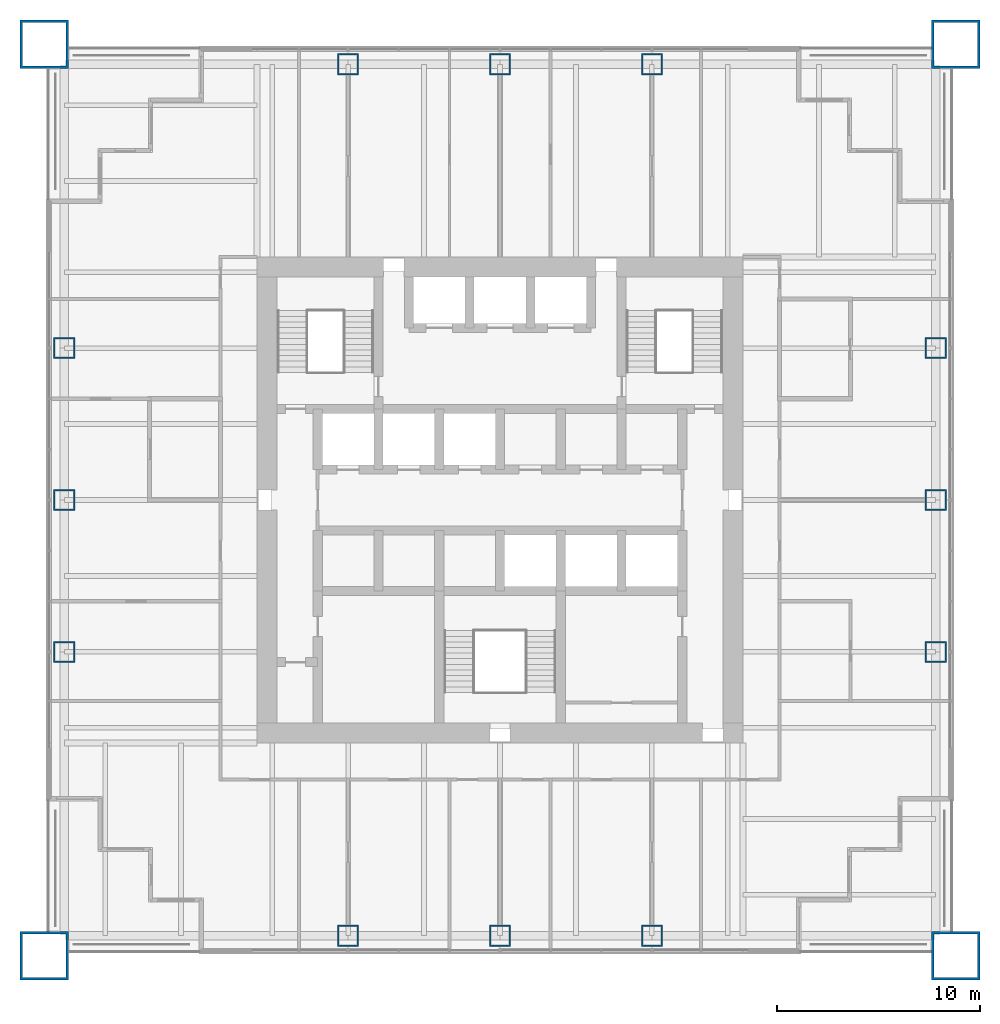
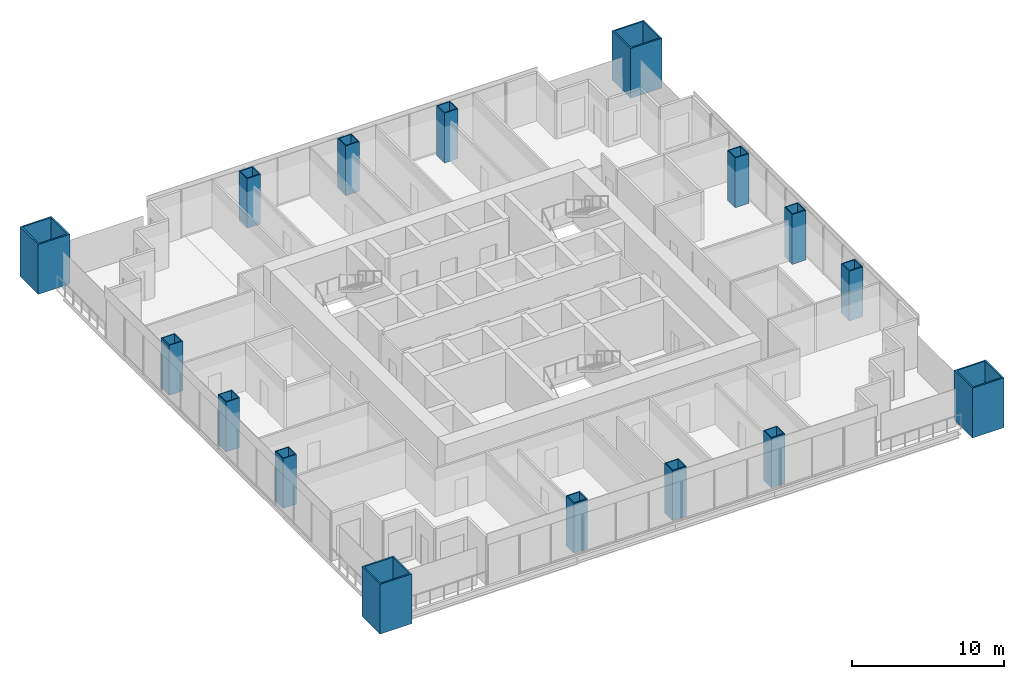
# One storey, part 1 of 13: 16 columns.
"""IFC4 building model written with IfcOpenShell, lengths in metres."""

from ifc_helpers import new_model, si_unit, direction, frame, origin, origin_2d, place, context, subcontext, project, spatial, hollow_rectangle, extrude, material, material_profile, profile_set, type_object, element, save


model = new_model("IFC4")

# Units and contexts
model_context = context("Model", 3, precision=1e-05, world=origin(), true_north=direction((0.0, 1.0)))
body_context = subcontext(model_context, "Body", "Model", "MODEL_VIEW")
ifc_project = project(units=[si_unit("LENGTHUNIT", "METRE"), si_unit("AREAUNIT", "SQUARE_METRE"), si_unit("VOLUMEUNIT", "CUBIC_METRE"), si_unit("PLANEANGLEUNIT", "RADIAN"), si_unit("MASSUNIT", "GRAM", prefix="KILO")], contexts=[model_context])

# Site, building, storey
site_placement = place(None, origin())
site = spatial("IfcSite", under=ifc_project, at=site_placement, CompositionType="ELEMENT")
building_placement = place(site_placement, origin())
building = spatial("IfcBuilding", under=site, at=building_placement, Name="Tarangal Relay Tower", CompositionType="ELEMENT")
storey_placement = place(building_placement, frame((0.0, 0.0, 181.89990234375)))
storey = spatial("IfcBuildingStorey", under=building, at=storey_placement, Name="L37", CompositionType="ELEMENT", Elevation=181.89990234375)

# Columns
ifc_material_1 = material(Name="Steel ASTM A572 Grade 42", Category="steel")
ifc_material_profile_1 = material_profile(ifc_material_1, hollow_rectangle(XDim=2.39990234375, YDim=2.39990234375, WallThickness=0.1201171875, at=origin_2d()), Name="BOX2400X2400X120")
ifc_profile_set_1 = profile_set([ifc_material_profile_1], Name="Steel ASTM A572 Grade 42")
column_type_1 = type_object("IfcColumnType", Name="Mega column BOX2400X2400X120", PredefinedType="COLUMN", material=ifc_profile_set_1)
for number, where, z_axis, x_axis, name in (
    (1, (22.5, 22.5, 0.0), (0.0, 0.0, 1.0), (1.0, 0.0, 0.0), "Mega column MC3 NE L37"),
    (2, (22.5, -22.5, 0.0), (0.0, 0.0, 1.0), (1.0, 0.0, 0.0), "Mega column MC3 SE L37"),
    (3, (-22.5, -22.5, 0.0), (0.0, 0.0, 1.0), (1.0, 0.0, 0.0), "Mega column MC3 SW L37"),
    (4, (-22.5, 22.5, 0.0), (0.0, 0.0, 1.0), (1.0, 0.0, 0.0), "Mega column MC3 NW L37"),
):
    element("IfcColumn", number, at=place(storey_placement, frame(where, z_axis=z_axis, x_axis=x_axis)), inside=storey, type_object=column_type_1, Name=name, PredefinedType="COLUMN", context=body_context, shape_type="SweptSolid", body=[
        extrude(hollow_rectangle(XDim=2.39990234375, YDim=2.39990234375, WallThickness=0.1201171875, at=origin_2d()), origin(), (0.0, 0.0, 1.0), 4.0),
    ])
ifc_material_2 = material(Name="Steel ASTM A572 Grade 50", Category="steel")
ifc_material_profile_2 = material_profile(ifc_material_2, hollow_rectangle(XDim=1.050048828125, YDim=1.050048828125, WallThickness=0.070068359375, at=origin_2d()), Name="BOX1050X1050X70")
ifc_profile_set_2 = profile_set([ifc_material_profile_2], Name="Steel ASTM A572 Grade 50")
column_type_2 = type_object("IfcColumnType", Name="Perimeter column BOX1050X1050X70", PredefinedType="COLUMN", material=ifc_profile_set_2)
for number, where, z_axis, x_axis, name in (
    (5, (0.0, 21.514892578125, 0.0), (0.0, 0.0, 1.0), (1.0, 0.0, 0.0), "Perimeter column PC4 N L37"),
    (6, (21.514892578125, 0.0, 0.0), (0.0, 0.0, 1.0), (1.0, 0.0, 0.0), "Perimeter column PC4 E L37"),
    (7, (0.0, -21.514892578125, 0.0), (0.0, 0.0, 1.0), (1.0, 0.0, 0.0), "Perimeter column PC4 S L37"),
    (8, (-21.514892578125, 0.0, 0.0), (0.0, 0.0, 1.0), (1.0, 0.0, 0.0), "Perimeter column PC4 W L37"),
):
    element("IfcColumn", number, at=place(storey_placement, frame(where, z_axis=z_axis, x_axis=x_axis)), inside=storey, type_object=column_type_2, Name=name, PredefinedType="COLUMN", context=body_context, shape_type="SweptSolid", body=[
        extrude(hollow_rectangle(XDim=1.050048828125, YDim=1.050048828125, WallThickness=0.070068359375, at=origin_2d()), origin(), (0.0, 0.0, 1.0), 4.0),
    ])
ifc_material_profile_3 = material_profile(ifc_material_2, hollow_rectangle(XDim=1.050048828125, YDim=1.050048828125, WallThickness=0.074951171875, at=origin_2d()), Name="BOX1050X1050X75")
ifc_profile_set_3 = profile_set([ifc_material_profile_3], Name="Steel ASTM A572 Grade 50")
column_type_3 = type_object("IfcColumnType", Name="Perimeter column BOX1050X1050X75", PredefinedType="COLUMN", material=ifc_profile_set_3)
for number, where, z_axis, x_axis, name in (
    (9, (-7.5, 21.514892578125, 0.0), (0.0, 0.0, 1.0), (1.0, 0.0, 0.0), "Perimeter column PC6 N L37"),
    (10, (7.5, 21.514892578125, 0.0), (0.0, 0.0, 1.0), (1.0, 0.0, 0.0), "Perimeter column PC6 N L37"),
    (11, (21.514892578125, 7.5, 0.0), (0.0, 0.0, 1.0), (1.0, 0.0, 0.0), "Perimeter column PC6 E L37"),
    (12, (21.514892578125, -7.5, 0.0), (0.0, 0.0, 1.0), (1.0, 0.0, 0.0), "Perimeter column PC6 E L37"),
    (13, (7.5, -21.514892578125, 0.0), (0.0, 0.0, 1.0), (1.0, 0.0, 0.0), "Perimeter column PC6 S L37"),
    (14, (-7.5, -21.514892578125, 0.0), (0.0, 0.0, 1.0), (1.0, 0.0, 0.0), "Perimeter column PC6 S L37"),
    (15, (-21.514892578125, -7.5, 0.0), (0.0, 0.0, 1.0), (1.0, 0.0, 0.0), "Perimeter column PC6 W L37"),
    (16, (-21.514892578125, 7.5, 0.0), (0.0, 0.0, 1.0), (1.0, 0.0, 0.0), "Perimeter column PC6 W L37"),
):
    element("IfcColumn", number, at=place(storey_placement, frame(where, z_axis=z_axis, x_axis=x_axis)), inside=storey, type_object=column_type_3, Name=name, PredefinedType="COLUMN", context=body_context, shape_type="SweptSolid", body=[
        extrude(hollow_rectangle(XDim=1.050048828125, YDim=1.050048828125, WallThickness=0.074951171875, at=origin_2d()), origin(), (0.0, 0.0, 1.0), 4.0),
    ])

save(model, "model.ifc")
